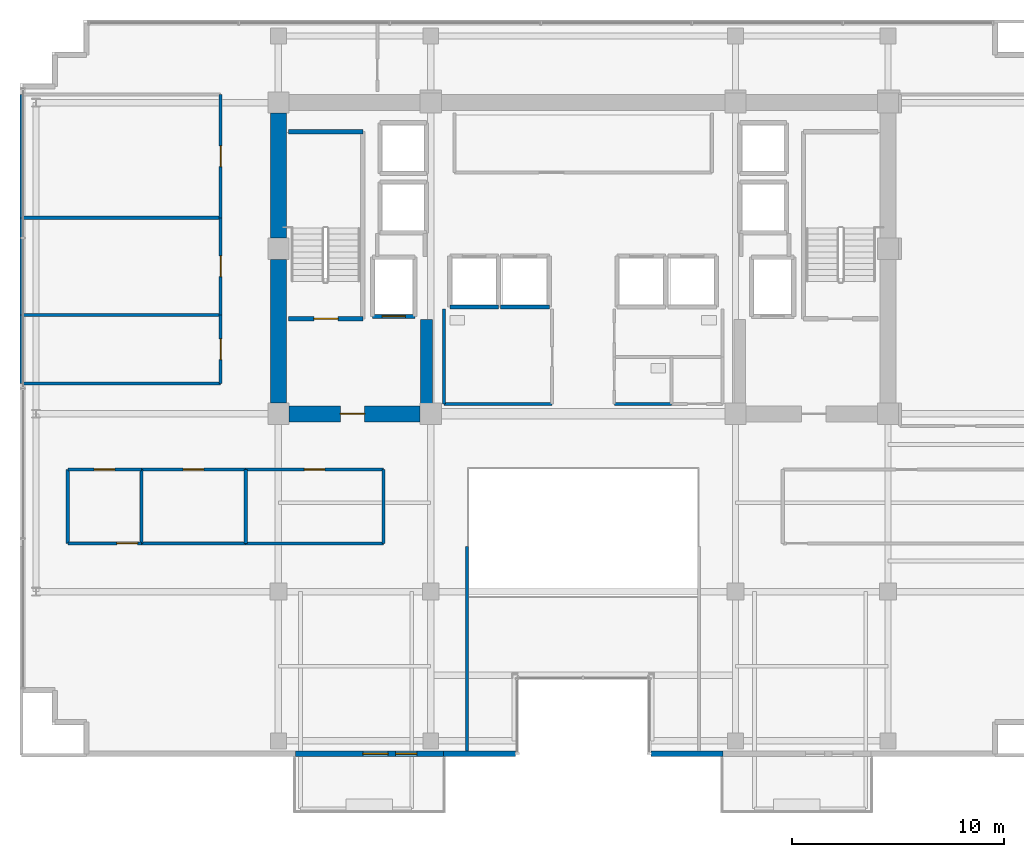
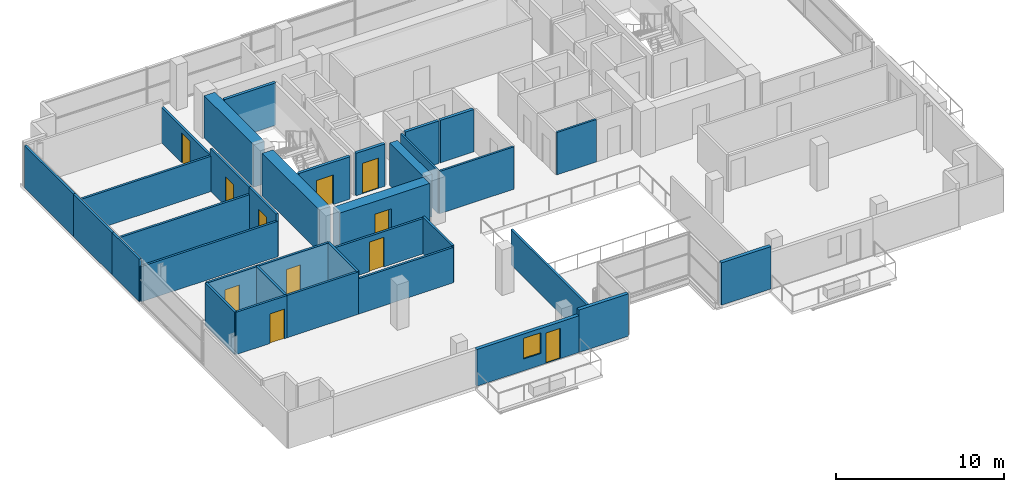
# One storey, part 18 of 25: 35 walls, 11 doors, 1 window, 12 openings.
"""IFC4 building model written with IfcOpenShell, lengths in metres."""

from ifc_helpers import new_model, si_unit, direction, frame, frame_2d, origin, place, context, subcontext, project, spatial, rectangle, extrude, source, transform, mapped, material, layer, layer_set, type_object, element, fill, save


model = new_model("IFC4")

# Units and contexts
model_context = context("Model", 3, precision=1e-05, world=origin(), true_north=direction((0.0, 1.0)))
body_context = subcontext(model_context, "Body", "Model", "MODEL_VIEW")
ifc_project = project(units=[si_unit("LENGTHUNIT", "METRE"), si_unit("AREAUNIT", "SQUARE_METRE"), si_unit("VOLUMEUNIT", "CUBIC_METRE"), si_unit("PLANEANGLEUNIT", "RADIAN"), si_unit("MASSUNIT", "GRAM", prefix="KILO")], contexts=[model_context])

# Site, building, storey
site_placement = place(None, origin())
site = spatial("IfcSite", under=ifc_project, at=site_placement, CompositionType="ELEMENT")
building_placement = place(site_placement, origin())
building = spatial("IfcBuilding", under=site, at=building_placement, Name="Zarnakvel Exchange Tower", CompositionType="ELEMENT")
storey_placement = place(building_placement, frame((0.0, 0.0, 162.699951171875)))
storey = spatial("IfcBuildingStorey", under=building, at=storey_placement, Name="L45", CompositionType="ELEMENT", Elevation=162.699951171875)

# Walls
ifc_material_1 = material(Name="Concrete C60/75", Category="concrete")
ifc_layer_1 = layer(ifc_material_1, 0.75)
ifc_layer_set_1 = layer_set([ifc_layer_1], Name="Concrete C60/75")
wall_type_1 = type_object("IfcWallType", Name="CW-C3", PredefinedType="SHEAR", material=ifc_layer_set_1)
wall_1_placement = place(storey_placement, frame((-14.39990234375, -0.699951171875, 0.0), z_axis=(0.0, 0.0, 1.0), x_axis=(0.0, 1.0, 0.0)))
element("IfcWall", 1, at=wall_1_placement, inside=storey, type_object=wall_type_1, Name="L45 Rear Core Shear Wall W1 (CW-C3)", PredefinedType="SHEAR", context=body_context, shape_type="SweptSolid", body=[
    extrude(rectangle(XDim=6.800048828125, YDim=0.75, at=frame_2d((3.39990234375, 0.0))), origin(), (0.0, 0.0, 1.0), 3.074951171875),
])
wall_2_placement = place(storey_placement, frame((-14.39990234375, 7.10009765625, 0.0), z_axis=(0.0, 0.0, 1.0), x_axis=(0.0, 1.0, 0.0)))
element("IfcWall", 2, at=wall_2_placement, inside=storey, type_object=wall_type_1, Name="L45 Rear Core Shear Wall W2 (CW-C3)", PredefinedType="SHEAR", context=body_context, shape_type="SweptSolid", body=[
    extrude(rectangle(XDim=5.89990234375, YDim=0.75, at=frame_2d((2.949951171875, 0.0))), origin(), (0.0, 0.0, 1.0), 3.074951171875),
])

# Wall, opening, door
wall_3_placement = place(storey_placement, frame((-7.699951171875, -1.199951171875, 0.0), z_axis=(0.0, 0.0, 1.0), x_axis=(-1.0, 0.0, 0.0)))
wall_3 = element("IfcWall", 3, at=wall_3_placement, inside=storey, type_object=wall_type_1, Name="L45 Rear Core Shear Wall SW (CW-C3)", PredefinedType="SHEAR", context=body_context, shape_type="SweptSolid", body=[
    extrude(rectangle(XDim=6.199951171875, YDim=0.75, at=frame_2d((3.10009765625, 0.0))), origin(), (0.0, 0.0, 1.0), 3.074951171875),
])
opening_1_placement = place(wall_3_placement, frame((2.625, 0.0, 0.0)))
opening_1 = element("IfcOpeningElement", 4, at=opening_1_placement, cuts=wall_3, Name="Opening D-L45-03", PredefinedType="OPENING", context=body_context, shape_type="SweptSolid", body=[
    extrude(rectangle(XDim=1.14990234375, YDim=2.14990234375, at=frame_2d((0.574951171875, 1.074951171875))), frame((0.0, 0.385009765625, 0.0), z_axis=(0.0, -1.0, 0.0), x_axis=(1.0, 0.0, 0.0)), (0.0, 0.0, 1.0), 0.77001953125),
])
ifc_material_2 = material(Name="Painted Galvanised Steel S355", Category="steel")
door_type_1 = type_object("IfcDoorType", Name="DT-04", OperationType="NOTDEFINED", PredefinedType="DOOR", material=ifc_material_2)
shared_shape_1 = source(origin(), body_context, "Body", "SweptSolid", [
    extrude(rectangle(XDim=1.14990234375, YDim=2.14990234375, at=frame_2d((0.574951171875, 1.074951171875))), frame((0.0, 0.02490234375, 0.0), z_axis=(0.0, -1.0, 0.0), x_axis=(1.0, 0.0, 0.0)), (0.0, 0.0, 1.0), 0.050048828125),
])
door_1_placement = place(opening_1_placement, origin())
door_1 = element("IfcDoor", 5, at=door_1_placement, inside=storey, type_object=door_type_1, Name="L45 Firefighting Lobby West Door D-L45-03", OperationType="SINGLE_SWING_RIGHT", OverallHeight=2.14990234375, OverallWidth=1.14990234375, PredefinedType="DOOR", context=body_context, shape_type="MappedRepresentation", body=[
    mapped(shared_shape_1, transform((0.0, 0.0, 0.0), x_axis=(1.0, 0.0, 0.0), y_axis=(0.0, 1.0, 0.0), z_axis=(0.0, 0.0, 1.0), scale=1.0)),
])
fill(opening_1, door_1)

# Wall
ifc_layer_2 = layer(ifc_material_1, 0.550048828125)
ifc_layer_set_2 = layer_set([ifc_layer_2], Name="Concrete C60/75")
wall_type_2 = type_object("IfcWallType", Name="CW-C4", PredefinedType="SHEAR", material=ifc_layer_set_2)
wall_4_placement = place(storey_placement, frame((-7.39990234375, -0.824951171875, 0.0), z_axis=(0.0, 0.0, 1.0), x_axis=(0.0, 1.0, 0.0)))
element("IfcWall", 6, at=wall_4_placement, inside=storey, type_object=wall_type_2, Name="L45 Rear Core Shear Wall IW (CW-C4)", PredefinedType="SHEAR", context=body_context, shape_type="SweptSolid", body=[
    extrude(rectangle(XDim=4.074951171875, YDim=0.550048828125, at=frame_2d((2.03759765625, 0.0))), origin(), (0.0, 0.0, 1.0), 3.074951171875),
])

# Wall, openings, door, window
ifc_material_3 = material(Name="Precast concrete C40/50", Category="concrete")
ifc_layer_3 = layer(ifc_material_3, 0.239990234375)
ifc_layer_set_3 = layer_set([ifc_layer_3], Name="Precast concrete C40/50")
wall_type_3 = type_object("IfcWallType", Name="EW-02", PredefinedType="SOLIDWALL", material=ifc_layer_set_3)
wall_5_placement = place(storey_placement, frame((-6.60009765625, -17.260009765625, 0.0), z_axis=(0.0, 0.0, 1.0), x_axis=(-1.0, 0.0, 0.0)))
wall_5 = element("IfcWall", 7, at=wall_5_placement, inside=storey, type_object=wall_type_3, Name="L45 Exterior Precast Spandrel Wall EW-BAL-L45-SW (EW-02)", PredefinedType="SOLIDWALL", context=body_context, shape_type="SweptSolid", body=[
    extrude(rectangle(XDim=7.0, YDim=0.239990234375, at=frame_2d((3.5, 0.0))), origin(), (0.0, 0.0, 1.0), 2.6650390625),
])
opening_2_placement = place(wall_5_placement, frame((1.260009765625, 0.0, 0.0)))
opening_2 = element("IfcOpeningElement", 8, at=opening_2_placement, cuts=wall_5, Name="Opening BD-L45-01", PredefinedType="OPENING", context=body_context, shape_type="SweptSolid", body=[
    extrude(rectangle(XDim=1.0, YDim=2.199951171875, at=frame_2d((0.5, 1.10009765625))), frame((0.0, 0.1298828125, 0.0), z_axis=(0.0, -1.0, 0.0), x_axis=(1.0, 0.0, 0.0)), (0.0, 0.0, 1.0), 0.260009765625),
])
opening_3_placement = place(wall_5_placement, frame((2.610107421875, 0.0, 0.85009765625)))
opening_3 = element("IfcOpeningElement", 9, at=opening_3_placement, cuts=wall_5, Name="Opening WN-04", PredefinedType="OPENING", context=body_context, shape_type="SweptSolid", body=[
    extrude(rectangle(XDim=1.199951171875, YDim=1.5, at=frame_2d((0.60009765625, 0.75))), frame((0.0, 0.1298828125, 0.0), z_axis=(0.0, -1.0, 0.0), x_axis=(1.0, 0.0, 0.0)), (0.0, 0.0, 1.0), 0.260009765625),
])
ifc_material_4 = material(Name="Architectural Bronze Anodised Aluminium", Category="aluminium")
door_type_2 = type_object("IfcDoorType", Name="DT-09", OperationType="NOTDEFINED", PredefinedType="DOOR", material=ifc_material_4)
shared_shape_2 = source(origin(), body_context, "Body", "SweptSolid", [
    extrude(rectangle(XDim=1.0, YDim=2.199951171875, at=frame_2d((0.5, 1.10009765625))), frame((0.0, 0.02490234375, 0.0), z_axis=(0.0, -1.0, 0.0), x_axis=(1.0, 0.0, 0.0)), (0.0, 0.0, 1.0), 0.050048828125),
])
door_2_placement = place(opening_2_placement, origin())
door_2 = element("IfcDoor", 10, at=door_2_placement, inside=storey, type_object=door_type_2, Name="L45 Planted Loggia Balcony Door BD-L45-01", OperationType="SINGLE_SWING_LEFT", OverallHeight=2.199951171875, OverallWidth=1.0, PredefinedType="DOOR", context=body_context, shape_type="MappedRepresentation", body=[
    mapped(shared_shape_2, transform((0.0, 0.0, 0.0), x_axis=(1.0, 0.0, 0.0), y_axis=(0.0, 1.0, 0.0), z_axis=(0.0, 0.0, 1.0), scale=1.0)),
])
fill(opening_2, door_2)
ifc_material_5 = material(Name="Double Low-E Laminated Vision Glass", Category="glass")
window_type = type_object("IfcWindowType", Name="WN-04", PartitioningType="SINGLE_PANEL", PredefinedType="WINDOW", material=ifc_material_5)
shared_shape_3 = source(origin(), body_context, "Body", "SweptSolid", [
    extrude(rectangle(XDim=1.199951171875, YDim=1.5, at=frame_2d((0.60009765625, 0.75))), frame((0.0, 0.030029296875, 0.0), z_axis=(0.0, -1.0, 0.0), x_axis=(1.0, 0.0, 0.0)), (0.0, 0.0, 1.0), 0.06005859375),
])
window_placement = place(opening_3_placement, origin())
window = element("IfcWindow", 11, at=window_placement, inside=storey, type_object=window_type, Name="L45 Loggia Daylight Window (WN-04)", OverallHeight=1.5, OverallWidth=1.199951171875, PartitioningType="SINGLE_PANEL", PredefinedType="WINDOW", context=body_context, shape_type="MappedRepresentation", body=[
    mapped(shared_shape_3, transform((0.0, 0.0, 0.0), x_axis=(1.0, 0.0, 0.0), y_axis=(0.0, 1.0, 0.0), z_axis=(0.0, 0.0, 1.0), scale=1.0)),
])
fill(opening_3, window)

# Walls
for number, where, z_axis, x_axis, name in (
    (12, (3.199951171875, -17.260009765625, 0.0), (0.0, 0.0, 1.0), (1.0, 0.0, 0.0), "L45 Exterior Precast Spandrel Wall EWC-L45-16 (EW-02)"),
    (13, (-6.60009765625, -17.260009765625, 0.0), (0.0, 0.0, 1.0), (1.0, 0.0, 0.0), "L45 Exterior Precast Spandrel Wall EWC-L45-21 (EW-02)"),
):
    element("IfcWall", number, at=place(storey_placement, frame(where, z_axis=z_axis, x_axis=x_axis)), inside=storey, type_object=wall_type_3, Name=name, PredefinedType="SOLIDWALL", context=body_context, shape_type="SweptSolid", body=[
        extrude(rectangle(XDim=3.400146484375, YDim=0.239990234375, at=frame_2d((1.7001953125, 0.0))), origin(), (0.0, 0.0, 1.0), 3.074951171875),
    ])

# Wall, opening, door
ifc_material_6 = material(Name="Fire-Rated Gypsum Stud Partition", Category="gypsum")
ifc_layer_4 = layer(ifc_material_6, 0.14990234375)
ifc_layer_set_4 = layer_set([ifc_layer_4], Name="Fire-Rated Gypsum Stud Partition")
wall_type_4 = type_object("IfcWallType", Name="PT-01", PredefinedType="PARTITIONING", material=ifc_layer_set_4)
wall_6_placement = place(storey_placement, frame((-20.86767578125, -7.320068359375, 0.0), z_axis=(0.0, 0.0, 1.0), x_axis=(-1.0, 0.0, 0.0)))
wall_6 = element("IfcWall", 14, at=wall_6_placement, inside=storey, type_object=wall_type_4, Name="L45 Partition Wall PWALL-L45-025 (PT-01)", PredefinedType="PARTITIONING", context=body_context, shape_type="SweptSolid", body=[
    extrude(rectangle(XDim=3.48095703125, YDim=0.14990234375, at=frame_2d((1.740478515625, 0.0))), origin(), (0.0, 0.0, 1.0), 3.074951171875),
])
opening_4_placement = place(wall_6_placement, frame((0.179931640625, 0.0, 0.0)))
opening_4 = element("IfcOpeningElement", 15, at=opening_4_placement, cuts=wall_6, Name="Opening D-L45-13", PredefinedType="OPENING", context=body_context, shape_type="SweptSolid", body=[
    extrude(rectangle(XDim=0.97998046875, YDim=2.14990234375, at=frame_2d((0.489990234375, 1.074951171875))), frame((0.0, 0.0849609375, 0.0), z_axis=(0.0, -1.0, 0.0), x_axis=(1.0, 0.0, 0.0)), (0.0, 0.0, 1.0), 0.169921875),
])
ifc_material_7 = material(Name="Timber Acoustic Veneer", Category="wood")
door_type_3 = type_object("IfcDoorType", Name="DT-05", OperationType="NOTDEFINED", PredefinedType="DOOR", material=ifc_material_7)
shared_shape_4 = source(origin(), body_context, "Body", "SweptSolid", [
    extrude(rectangle(XDim=0.97998046875, YDim=2.14990234375, at=frame_2d((0.489990234375, 1.074951171875))), frame((0.0, 0.02490234375, 0.0), z_axis=(0.0, -1.0, 0.0), x_axis=(1.0, 0.0, 0.0)), (0.0, 0.0, 1.0), 0.050048828125),
])
door_3_placement = place(opening_4_placement, origin())
door_3 = element("IfcDoor", 16, at=door_3_placement, inside=storey, type_object=door_type_3, Name="L45 Derivatives Trading Hall Door D-L45-13", OperationType="SINGLE_SWING_RIGHT", OverallHeight=2.14990234375, OverallWidth=0.97998046875, PredefinedType="DOOR", context=body_context, shape_type="MappedRepresentation", body=[
    mapped(shared_shape_4, transform((0.0, 0.0, 0.0), x_axis=(1.0, 0.0, 0.0), y_axis=(0.0, 1.0, 0.0), z_axis=(0.0, 0.0, 1.0), scale=1.0)),
])
fill(opening_4, door_3)

wall_7_placement = place(storey_placement, frame((-24.3486328125, -3.830078125, 0.0), z_axis=(0.0, 0.0, 1.0), x_axis=(1.0, 0.0, 0.0)))
wall_7 = element("IfcWall", 17, at=wall_7_placement, inside=storey, type_object=wall_type_4, Name="L45 Partition Wall PWALL-L45-026 (PT-01)", PredefinedType="PARTITIONING", context=body_context, shape_type="SweptSolid", body=[
    extrude(rectangle(XDim=3.48095703125, YDim=0.14990234375, at=frame_2d((1.740478515625, 0.0))), origin(), (0.0, 0.0, 1.0), 3.074951171875),
])
opening_5_placement = place(wall_7_placement, frame((1.25048828125, 0.0, 0.0)))
opening_5 = element("IfcOpeningElement", 18, at=opening_5_placement, cuts=wall_7, Name="Opening D-L45-10", PredefinedType="OPENING", context=body_context, shape_type="SweptSolid", body=[
    extrude(rectangle(XDim=0.97998046875, YDim=2.14990234375, at=frame_2d((0.489990234375, 1.074951171875))), frame((0.0, 0.0849609375, 0.0), z_axis=(0.0, -1.0, 0.0), x_axis=(1.0, 0.0, 0.0)), (0.0, 0.0, 1.0), 0.169921875),
])
door_4_placement = place(opening_5_placement, origin())
door_4 = element("IfcDoor", 19, at=door_4_placement, inside=storey, type_object=door_type_3, Name="L45 Quant Research Office Door D-L45-10", OperationType="SINGLE_SWING_LEFT", OverallHeight=2.14990234375, OverallWidth=0.97998046875, PredefinedType="DOOR", context=body_context, shape_type="MappedRepresentation", body=[
    mapped(shared_shape_4, transform((0.0, 0.0, 0.0), x_axis=(1.0, 0.0, 0.0), y_axis=(0.0, 1.0, 0.0), z_axis=(0.0, 0.0, 1.0), scale=1.0)),
])
fill(opening_5, door_4)

# Walls
for number, where, z_axis, x_axis, name in (
    (20, (-24.3486328125, -7.320068359375, 0.0), (0.0, 0.0, 1.0), (0.0, 1.0, 0.0), "L45 Partition Wall PWALL-L45-027 (PT-01)"),
    (21, (-20.86767578125, -3.830078125, 0.0), (0.0, 0.0, 1.0), (0.0, -1.0, 0.0), "L45 Partition Wall PWALL-L45-028 (PT-01)"),
):
    element("IfcWall", number, at=place(storey_placement, frame(where, z_axis=z_axis, x_axis=x_axis)), inside=storey, type_object=wall_type_4, Name=name, PredefinedType="PARTITIONING", context=body_context, shape_type="SweptSolid", body=[
        extrude(rectangle(XDim=3.489990234375, YDim=0.14990234375, at=frame_2d((1.7451171875, 0.0))), origin(), (0.0, 0.0, 1.0), 3.074951171875),
    ])
wall_8_placement = place(storey_placement, frame((-15.943115234375, -7.320068359375, 0.0), z_axis=(0.0, 0.0, 1.0), x_axis=(-1.0, 0.0, 0.0)))
element("IfcWall", 22, at=wall_8_placement, inside=storey, type_object=wall_type_4, Name="L45 Partition Wall PWALL-L45-029 (PT-01)", PredefinedType="PARTITIONING", context=body_context, shape_type="SweptSolid", body=[
    extrude(rectangle(XDim=4.924560546875, YDim=0.14990234375, at=frame_2d((2.46240234375, 0.0))), origin(), (0.0, 0.0, 1.0), 3.074951171875),
])

# Wall, opening, door
wall_9_placement = place(storey_placement, frame((-20.86767578125, -3.830078125, 0.0), z_axis=(0.0, 0.0, 1.0), x_axis=(1.0, 0.0, 0.0)))
wall_9 = element("IfcWall", 23, at=wall_9_placement, inside=storey, type_object=wall_type_4, Name="L45 Partition Wall PWALL-L45-030 (PT-01)", PredefinedType="PARTITIONING", context=body_context, shape_type="SweptSolid", body=[
    extrude(rectangle(XDim=4.924560546875, YDim=0.14990234375, at=frame_2d((2.46240234375, 0.0))), origin(), (0.0, 0.0, 1.0), 3.074951171875),
])
opening_6_placement = place(wall_9_placement, frame((1.97265625, 0.0, 0.0)))
opening_6 = element("IfcOpeningElement", 24, at=opening_6_placement, cuts=wall_9, Name="Opening D-L45-11", PredefinedType="OPENING", context=body_context, shape_type="SweptSolid", body=[
    extrude(rectangle(XDim=0.97998046875, YDim=2.14990234375, at=frame_2d((0.489990234375, 1.074951171875))), frame((0.0, 0.0849609375, 0.0), z_axis=(0.0, -1.0, 0.0), x_axis=(1.0, 0.0, 0.0)), (0.0, 0.0, 1.0), 0.169921875),
])
door_5_placement = place(opening_6_placement, origin())
door_5 = element("IfcDoor", 25, at=door_5_placement, inside=storey, type_object=door_type_3, Name="L45 Conference Room Door D-L45-11", OperationType="SINGLE_SWING_RIGHT", OverallHeight=2.14990234375, OverallWidth=0.97998046875, PredefinedType="DOOR", context=body_context, shape_type="MappedRepresentation", body=[
    mapped(shared_shape_4, transform((0.0, 0.0, 0.0), x_axis=(1.0, 0.0, 0.0), y_axis=(0.0, 1.0, 0.0), z_axis=(0.0, 0.0, 1.0), scale=1.0)),
])
fill(opening_6, door_5)

# Walls
wall_10_placement = place(storey_placement, frame((-15.943115234375, -3.830078125, 0.0), z_axis=(0.0, 0.0, 1.0), x_axis=(0.0, -1.0, 0.0)))
element("IfcWall", 26, at=wall_10_placement, inside=storey, type_object=wall_type_4, Name="L45 Partition Wall PWALL-L45-031 (PT-01)", PredefinedType="PARTITIONING", context=body_context, shape_type="SweptSolid", body=[
    extrude(rectangle(XDim=3.489990234375, YDim=0.14990234375, at=frame_2d((1.7451171875, 0.0))), origin(), (0.0, 0.0, 1.0), 3.074951171875),
])
wall_11_placement = place(storey_placement, frame((-9.429931640625, -7.320068359375, 0.0), z_axis=(0.0, 0.0, 1.0), x_axis=(-1.0, 0.0, 0.0)))
element("IfcWall", 27, at=wall_11_placement, inside=storey, type_object=wall_type_4, Name="L45 Partition Wall PWALL-L45-032 (PT-01)", PredefinedType="PARTITIONING", context=body_context, shape_type="SweptSolid", body=[
    extrude(rectangle(XDim=6.51318359375, YDim=0.14990234375, at=frame_2d((3.256591796875, 0.0))), origin(), (0.0, 0.0, 1.0), 2.56494140625),
])

# Wall, opening, door
wall_12_placement = place(storey_placement, frame((-15.943115234375, -3.830078125, 0.0), z_axis=(0.0, 0.0, 1.0), x_axis=(1.0, 0.0, 0.0)))
wall_12 = element("IfcWall", 28, at=wall_12_placement, inside=storey, type_object=wall_type_4, Name="L45 Partition Wall PWALL-L45-033 (PT-01)", PredefinedType="PARTITIONING", context=body_context, shape_type="SweptSolid", body=[
    extrude(rectangle(XDim=6.51318359375, YDim=0.14990234375, at=frame_2d((3.256591796875, 0.0))), origin(), (0.0, 0.0, 1.0), 2.56494140625),
])
opening_7_placement = place(wall_12_placement, frame((2.76708984375, 0.0, 0.0)))
opening_7 = element("IfcOpeningElement", 29, at=opening_7_placement, cuts=wall_12, Name="Opening D-L45-12", PredefinedType="OPENING", context=body_context, shape_type="SweptSolid", body=[
    extrude(rectangle(XDim=0.97998046875, YDim=2.14990234375, at=frame_2d((0.489990234375, 1.074951171875))), frame((0.0, 0.0849609375, 0.0), z_axis=(0.0, -1.0, 0.0), x_axis=(1.0, 0.0, 0.0)), (0.0, 0.0, 1.0), 0.169921875),
])
door_6_placement = place(opening_7_placement, origin())
door_6 = element("IfcDoor", 30, at=door_6_placement, inside=storey, type_object=door_type_3, Name="L45 Executive Suite Door D-L45-12", OperationType="SINGLE_SWING_LEFT", OverallHeight=2.14990234375, OverallWidth=0.97998046875, PredefinedType="DOOR", context=body_context, shape_type="MappedRepresentation", body=[
    mapped(shared_shape_4, transform((0.0, 0.0, 0.0), x_axis=(1.0, 0.0, 0.0), y_axis=(0.0, 1.0, 0.0), z_axis=(0.0, 0.0, 1.0), scale=1.0)),
])
fill(opening_7, door_6)

# Walls
wall_13_placement = place(storey_placement, frame((-9.429931640625, -3.830078125, 0.0), z_axis=(0.0, 0.0, 1.0), x_axis=(0.0, -1.0, 0.0)))
element("IfcWall", 31, at=wall_13_placement, inside=storey, type_object=wall_type_4, Name="L45 Partition Wall PWALL-L45-034 (PT-01)", PredefinedType="PARTITIONING", context=body_context, shape_type="SweptSolid", body=[
    extrude(rectangle(XDim=3.489990234375, YDim=0.14990234375, at=frame_2d((1.7451171875, 0.0))), origin(), (0.0, 0.0, 1.0), 2.6650390625),
])
wall_14_placement = place(storey_placement, frame((-5.47998046875, -7.47998046875, 0.0), z_axis=(0.0, 0.0, 1.0), x_axis=(0.0, -1.0, 0.0)))
element("IfcWall", 32, at=wall_14_placement, inside=storey, type_object=wall_type_4, Name="L45 Partition Wall PWALL-L45-037 (PT-01)", PredefinedType="PARTITIONING", context=body_context, shape_type="SweptSolid", body=[
    extrude(rectangle(XDim=9.85009765625, YDim=0.14990234375, at=frame_2d((4.925048828125, 0.0))), origin(), (0.0, 0.0, 1.0), 2.56494140625),
])
for number, where, z_axis, x_axis, name in (
    (33, (-17.1298828125, 0.235595703125, 0.0), (0.0, 0.0, 1.0), (-1.0, 0.0, 0.0), "L45 Partition Wall PWALL-L45-045 (PT-01)"),
    (34, (-26.530029296875, 3.47119140625, 0.0), (0.0, 0.0, 1.0), (1.0, 0.0, 0.0), "L45 Partition Wall PWALL-L45-046 (PT-01)"),
):
    element("IfcWall", number, at=place(storey_placement, frame(where, z_axis=z_axis, x_axis=x_axis)), inside=storey, type_object=wall_type_4, Name=name, PredefinedType="PARTITIONING", context=body_context, shape_type="SweptSolid", body=[
        extrude(rectangle(XDim=9.400146484375, YDim=0.14990234375, at=frame_2d((4.7001953125, 0.0))), origin(), (0.0, 0.0, 1.0), 2.56494140625),
    ])
wall_15_placement = place(storey_placement, frame((-26.530029296875, 0.235595703125, 0.0), z_axis=(0.0, 0.0, 1.0), x_axis=(0.0, 1.0, 0.0)))
element("IfcWall", 35, at=wall_15_placement, inside=storey, type_object=wall_type_4, Name="L45 Partition Wall PWALL-L45-047 (PT-01)", PredefinedType="PARTITIONING", context=body_context, shape_type="SweptSolid", body=[
    extrude(rectangle(XDim=3.235595703125, YDim=0.14990234375, at=frame_2d((1.61767578125, 0.0))), origin(), (0.0, 0.0, 1.0), 3.074951171875),
])

# Wall, opening, door
wall_16_placement = place(storey_placement, frame((-17.1298828125, 3.47119140625, 0.0), z_axis=(0.0, 0.0, 1.0), x_axis=(0.0, -1.0, 0.0)))
wall_16 = element("IfcWall", 36, at=wall_16_placement, inside=storey, type_object=wall_type_4, Name="L45 Partition Wall PWALL-L45-048 (PT-01)", PredefinedType="PARTITIONING", context=body_context, shape_type="SweptSolid", body=[
    extrude(rectangle(XDim=3.235595703125, YDim=0.14990234375, at=frame_2d((1.61767578125, 0.0))), origin(), (0.0, 0.0, 1.0), 3.074951171875),
])
opening_8_placement = place(wall_16_placement, frame((1.12841796875, 0.0, 0.0)))
opening_8 = element("IfcOpeningElement", 37, at=opening_8_placement, cuts=wall_16, Name="Opening D-L45-16", PredefinedType="OPENING", context=body_context, shape_type="SweptSolid", body=[
    extrude(rectangle(XDim=0.97998046875, YDim=2.14990234375, at=frame_2d((0.489990234375, 1.074951171875))), frame((0.0, 0.0849609375, 0.0), z_axis=(0.0, -1.0, 0.0), x_axis=(1.0, 0.0, 0.0)), (0.0, 0.0, 1.0), 0.169921875),
])
door_7_placement = place(opening_8_placement, origin())
door_7 = element("IfcDoor", 38, at=door_7_placement, inside=storey, type_object=door_type_3, Name="L45 Staff Pantry Door D-L45-16", OperationType="SINGLE_SWING_LEFT", OverallHeight=2.14990234375, OverallWidth=0.97998046875, PredefinedType="DOOR", context=body_context, shape_type="MappedRepresentation", body=[
    mapped(shared_shape_4, transform((0.0, 0.0, 0.0), x_axis=(1.0, 0.0, 0.0), y_axis=(0.0, 1.0, 0.0), z_axis=(0.0, 0.0, 1.0), scale=1.0)),
])
fill(opening_8, door_7)

# Walls
wall_17_placement = place(storey_placement, frame((-26.530029296875, 8.060546875, 0.0), z_axis=(0.0, 0.0, 1.0), x_axis=(1.0, 0.0, 0.0)))
element("IfcWall", 39, at=wall_17_placement, inside=storey, type_object=wall_type_4, Name="L45 Partition Wall PWALL-L45-049 (PT-01)", PredefinedType="PARTITIONING", context=body_context, shape_type="SweptSolid", body=[
    extrude(rectangle(XDim=9.400146484375, YDim=0.14990234375, at=frame_2d((4.7001953125, 0.0))), origin(), (0.0, 0.0, 1.0), 2.56494140625),
])
wall_18_placement = place(storey_placement, frame((-26.530029296875, 3.47119140625, 0.0), z_axis=(0.0, 0.0, 1.0), x_axis=(0.0, 1.0, 0.0)))
element("IfcWall", 40, at=wall_18_placement, inside=storey, type_object=wall_type_4, Name="L45 Partition Wall PWALL-L45-050 (PT-01)", PredefinedType="PARTITIONING", context=body_context, shape_type="SweptSolid", body=[
    extrude(rectangle(XDim=4.58935546875, YDim=0.14990234375, at=frame_2d((2.294677734375, 0.0))), origin(), (0.0, 0.0, 1.0), 3.074951171875),
])

# Wall, opening, door
wall_19_placement = place(storey_placement, frame((-17.1298828125, 8.060546875, 0.0), z_axis=(0.0, 0.0, 1.0), x_axis=(0.0, -1.0, 0.0)))
wall_19 = element("IfcWall", 41, at=wall_19_placement, inside=storey, type_object=wall_type_4, Name="L45 Partition Wall PWALL-L45-051 (PT-01)", PredefinedType="PARTITIONING", context=body_context, shape_type="SweptSolid", body=[
    extrude(rectangle(XDim=4.58935546875, YDim=0.14990234375, at=frame_2d((2.294677734375, 0.0))), origin(), (0.0, 0.0, 1.0), 3.074951171875),
])
opening_9_placement = place(wall_19_placement, frame((1.804443359375, 0.0, 0.0)))
opening_9 = element("IfcOpeningElement", 42, at=opening_9_placement, cuts=wall_19, Name="Opening D-L45-17", PredefinedType="OPENING", context=body_context, shape_type="SweptSolid", body=[
    extrude(rectangle(XDim=0.97998046875, YDim=2.14990234375, at=frame_2d((0.489990234375, 1.074951171875))), frame((0.0, 0.0849609375, 0.0), z_axis=(0.0, -1.0, 0.0), x_axis=(1.0, 0.0, 0.0)), (0.0, 0.0, 1.0), 0.169921875),
])
door_8_placement = place(opening_9_placement, origin())
door_8 = element("IfcDoor", 43, at=door_8_placement, inside=storey, type_object=door_type_3, Name="L45 Compliance Office Door D-L45-17", OperationType="SINGLE_SWING_RIGHT", OverallHeight=2.14990234375, OverallWidth=0.97998046875, PredefinedType="DOOR", context=body_context, shape_type="MappedRepresentation", body=[
    mapped(shared_shape_4, transform((0.0, 0.0, 0.0), x_axis=(1.0, 0.0, 0.0), y_axis=(0.0, 1.0, 0.0), z_axis=(0.0, 0.0, 1.0), scale=1.0)),
])
fill(opening_9, door_8)

# Wall
wall_20_placement = place(storey_placement, frame((-26.530029296875, 8.060546875, 0.0), z_axis=(0.0, 0.0, 1.0), x_axis=(0.0, 1.0, 0.0)))
element("IfcWall", 44, at=wall_20_placement, inside=storey, type_object=wall_type_4, Name="L45 Partition Wall PWALL-L45-053 (PT-01)", PredefinedType="PARTITIONING", context=body_context, shape_type="SweptSolid", body=[
    extrude(rectangle(XDim=5.8193359375, YDim=0.14990234375, at=frame_2d((2.90966796875, 0.0))), origin(), (0.0, 0.0, 1.0), 3.074951171875),
])

# Wall, opening, door
wall_21_placement = place(storey_placement, frame((-17.1298828125, 13.8798828125, 0.0), z_axis=(0.0, 0.0, 1.0), x_axis=(0.0, -1.0, 0.0)))
wall_21 = element("IfcWall", 45, at=wall_21_placement, inside=storey, type_object=wall_type_4, Name="L45 Partition Wall PWALL-L45-054 (PT-01)", PredefinedType="PARTITIONING", context=body_context, shape_type="SweptSolid", body=[
    extrude(rectangle(XDim=5.8193359375, YDim=0.14990234375, at=frame_2d((2.90966796875, 0.0))), origin(), (0.0, 0.0, 1.0), 2.56494140625),
])
opening_10_placement = place(wall_21_placement, frame((2.419921875, 0.0, 0.0)))
opening_10 = element("IfcOpeningElement", 46, at=opening_10_placement, cuts=wall_21, Name="Opening D-L45-18", PredefinedType="OPENING", context=body_context, shape_type="SweptSolid", body=[
    extrude(rectangle(XDim=0.97998046875, YDim=2.14990234375, at=frame_2d((0.489990234375, 1.074951171875))), frame((0.0, 0.0849609375, 0.0), z_axis=(0.0, -1.0, 0.0), x_axis=(1.0, 0.0, 0.0)), (0.0, 0.0, 1.0), 0.169921875),
])
door_9_placement = place(opening_10_placement, origin())
door_9 = element("IfcDoor", 47, at=door_9_placement, inside=storey, type_object=door_type_3, Name="L45 Client Lounge Door D-L45-18", OperationType="SINGLE_SWING_LEFT", OverallHeight=2.14990234375, OverallWidth=0.97998046875, PredefinedType="DOOR", context=body_context, shape_type="MappedRepresentation", body=[
    mapped(shared_shape_4, transform((0.0, 0.0, 0.0), x_axis=(1.0, 0.0, 0.0), y_axis=(0.0, 1.0, 0.0), z_axis=(0.0, 0.0, 1.0), scale=1.0)),
])
fill(opening_10, door_9)

# Walls
ifc_material_8 = material(Name="Moisture-Resistant Tile-Faced Partition", Category="gypsum")
ifc_layer_5 = layer(ifc_material_8, 0.135009765625)
ifc_layer_set_5 = layer_set([ifc_layer_5], Name="Moisture-Resistant Tile-Faced Partition")
wall_type_5 = type_object("IfcWallType", Name="PT-03", PredefinedType="PARTITIONING", material=ifc_layer_set_5)
wall_22_placement = place(storey_placement, frame((-1.469970703125, -0.72998046875, 0.0), z_axis=(0.0, 0.0, 1.0), x_axis=(-1.0, 0.0, 0.0)))
element("IfcWall", 48, at=wall_22_placement, inside=storey, type_object=wall_type_5, Name="L45 Partition Wall PWALL-L45-014 (PT-03)", PredefinedType="PARTITIONING", context=body_context, shape_type="SweptSolid", body=[
    extrude(rectangle(XDim=5.110107421875, YDim=0.135009765625, at=frame_2d((2.55517578125, 0.0))), origin(), (0.0, 0.0, 1.0), 3.074951171875),
])
wall_23_placement = place(storey_placement, frame((-6.580078125, -0.72998046875, 0.0), z_axis=(0.0, 0.0, 1.0), x_axis=(0.0, 1.0, 0.0)))
element("IfcWall", 49, at=wall_23_placement, inside=storey, type_object=wall_type_5, Name="L45 Partition Wall PWALL-L45-015 (PT-03)", PredefinedType="PARTITIONING", context=body_context, shape_type="SweptSolid", body=[
    extrude(rectangle(XDim=4.489990234375, YDim=0.135009765625, at=frame_2d((2.2451171875, 0.0))), origin(), (0.0, 0.0, 1.0), 3.074951171875),
])
wall_24_placement = place(storey_placement, frame((4.179931640625, -0.72998046875, 0.0), z_axis=(0.0, 0.0, 1.0), x_axis=(-1.0, 0.0, 0.0)))
element("IfcWall", 50, at=wall_24_placement, inside=storey, type_object=wall_type_5, Name="L45 Partition Wall PWALL-L45-020 (PT-03)", PredefinedType="PARTITIONING", context=body_context, shape_type="SweptSolid", body=[
    extrude(rectangle(XDim=2.7099609375, YDim=0.135009765625, at=frame_2d((1.35498046875, 0.0))), origin(), (0.0, 0.0, 1.0), 3.074951171875),
])

# Wall, opening, door
ifc_material_9 = material(Name="Concrete C40/50", Category="concrete")
ifc_layer_6 = layer(ifc_material_9, 0.199951171875)
ifc_layer_set_6 = layer_set([ifc_layer_6], Name="Concrete C40/50")
wall_type_6 = type_object("IfcWallType", Name="SW-01", PredefinedType="SOLIDWALL", material=ifc_layer_set_6)
wall_25_placement = place(storey_placement, frame((-7.949951171875, 3.39990234375, 0.0), z_axis=(0.0, 0.0, 1.0), x_axis=(-1.0, 0.0, 0.0)))
wall_25 = element("IfcWall", 51, at=wall_25_placement, inside=storey, type_object=wall_type_6, Name="L45 FL-01 Hoistway Wall South", PredefinedType="SOLIDWALL", context=body_context, shape_type="SweptSolid", body=[
    extrude(rectangle(XDim=2.0, YDim=0.199951171875, at=frame_2d((1.0, 0.0))), origin(), (0.0, 0.0, 1.0), 3.074951171875),
])
opening_11_placement = place(wall_25_placement, frame((0.449951171875, 0.0, 0.0)))
opening_11 = element("IfcOpeningElement", 52, at=opening_11_placement, cuts=wall_25, Name="Opening LD-FL-01-L45", PredefinedType="OPENING", context=body_context, shape_type="SweptSolid", body=[
    extrude(rectangle(XDim=1.10009765625, YDim=2.199951171875, at=frame_2d((0.550048828125, 1.10009765625))), frame((0.0, 0.10986328125, 0.0), z_axis=(0.0, -1.0, 0.0), x_axis=(1.0, 0.0, 0.0)), (0.0, 0.0, 1.0), 0.219970703125),
])
ifc_material_10 = material(Name="Brushed Stainless Steel", Category="steel")
door_type_4 = type_object("IfcDoorType", Name="LDT-01", OperationType="NOTDEFINED", PredefinedType="DOOR", material=ifc_material_10)
shared_shape_5 = source(origin(), body_context, "Body", "SweptSolid", [
    extrude(rectangle(XDim=1.10009765625, YDim=2.199951171875, at=frame_2d((0.550048828125, 1.10009765625))), frame((0.0, 0.02490234375, 0.0), z_axis=(0.0, -1.0, 0.0), x_axis=(1.0, 0.0, 0.0)), (0.0, 0.0, 1.0), 0.050048828125),
])
door_10_placement = place(opening_11_placement, origin())
door_10 = element("IfcDoor", 53, at=door_10_placement, inside=storey, type_object=door_type_4, Name="L45 FL-01 Lift Landing Door LD-FL-01-L45", OperationType="DOUBLE_DOOR_SLIDING", OverallHeight=2.199951171875, OverallWidth=1.10009765625, PredefinedType="DOOR", context=body_context, shape_type="MappedRepresentation", body=[
    mapped(shared_shape_5, transform((0.0, 0.0, 0.0), x_axis=(1.0, 0.0, 0.0), y_axis=(0.0, 1.0, 0.0), z_axis=(0.0, 0.0, 1.0), scale=1.0)),
])
fill(opening_11, door_10)

# Walls
wall_26_placement = place(storey_placement, frame((-4.0, 3.85009765625, 0.0), z_axis=(0.0, 0.0, 1.0), x_axis=(-1.0, 0.0, 0.0)))
element("IfcWall", 54, at=wall_26_placement, inside=storey, type_object=wall_type_6, Name="L45 PL-05 Hoistway Wall South", PredefinedType="SOLIDWALL", context=body_context, shape_type="SweptSolid", body=[
    extrude(rectangle(XDim=2.300048828125, YDim=0.199951171875, at=frame_2d((1.14990234375, 0.0))), origin(), (0.0, 0.0, 1.0), 3.074951171875),
])
wall_27_placement = place(storey_placement, frame((-1.60009765625, 3.85009765625, 0.0), z_axis=(0.0, 0.0, 1.0), x_axis=(-1.0, 0.0, 0.0)))
element("IfcWall", 55, at=wall_27_placement, inside=storey, type_object=wall_type_6, Name="L45 PL-06 Hoistway Wall South", PredefinedType="SOLIDWALL", context=body_context, shape_type="SweptSolid", body=[
    extrude(rectangle(XDim=2.2998046875, YDim=0.199951171875, at=frame_2d((1.14990234375, 0.0))), origin(), (0.0, 0.0, 1.0), 3.074951171875),
])

# Wall, opening, door
ifc_layer_7 = layer(ifc_material_9, 0.199951171875)
ifc_layer_set_7 = layer_set([ifc_layer_7], Name="Concrete C40/50")
wall_type_7 = type_object("IfcWallType", Name="SW-02", PredefinedType="SOLIDWALL", material=ifc_layer_set_7)
wall_28_placement = place(storey_placement, frame((-10.409912109375, 3.2900390625, 0.0), z_axis=(0.0, 0.0, 1.0), x_axis=(-1.0, 0.0, 0.0)))
wall_28 = element("IfcWall", 56, at=wall_28_placement, inside=storey, type_object=wall_type_7, Name="L45 Stairwell Core Wall PWALL-L45-001 (SW-02)", PredefinedType="SOLIDWALL", context=body_context, shape_type="SweptSolid", body=[
    extrude(rectangle(XDim=3.52001953125, YDim=0.199951171875, at=frame_2d((1.760009765625, 0.0))), origin(), (0.0, 0.0, 1.0), 3.074951171875),
])
opening_12_placement = place(wall_28_placement, frame((1.1650390625, 0.0, 0.0)))
opening_12 = element("IfcOpeningElement", 57, at=opening_12_placement, cuts=wall_28, Name="Opening D-L45-01", PredefinedType="OPENING", context=body_context, shape_type="SweptSolid", body=[
    extrude(rectangle(XDim=1.14990234375, YDim=2.14990234375, at=frame_2d((0.574951171875, 1.074951171875))), frame((0.0, 0.10986328125, 0.0), z_axis=(0.0, -1.0, 0.0), x_axis=(1.0, 0.0, 0.0)), (0.0, 0.0, 1.0), 0.219970703125),
])
door_11_placement = place(opening_12_placement, origin())
door_11 = element("IfcDoor", 58, at=door_11_placement, inside=storey, type_object=door_type_1, Name="L45 Stairwell ST-01 Door D-L45-01", OperationType="SINGLE_SWING_RIGHT", OverallHeight=2.14990234375, OverallWidth=1.14990234375, PredefinedType="DOOR", context=body_context, shape_type="MappedRepresentation", body=[
    mapped(shared_shape_1, transform((0.0, 0.0, 0.0), x_axis=(1.0, 0.0, 0.0), y_axis=(0.0, 1.0, 0.0), z_axis=(0.0, 0.0, 1.0), scale=1.0)),
])
fill(opening_12, door_11)

# Wall
wall_29_placement = place(storey_placement, frame((-13.929931640625, 12.1298828125, 0.0), z_axis=(0.0, 0.0, 1.0), x_axis=(1.0, 0.0, 0.0)))
element("IfcWall", 59, at=wall_29_placement, inside=storey, type_object=wall_type_7, Name="L45 Stairwell Core Wall PWALL-L45-002 (SW-02)", PredefinedType="SOLIDWALL", context=body_context, shape_type="SweptSolid", body=[
    extrude(rectangle(XDim=3.52001953125, YDim=0.199951171875, at=frame_2d((1.760009765625, 0.0))), origin(), (0.0, 0.0, 1.0), 3.074951171875),
])

save(model, "model.ifc")
